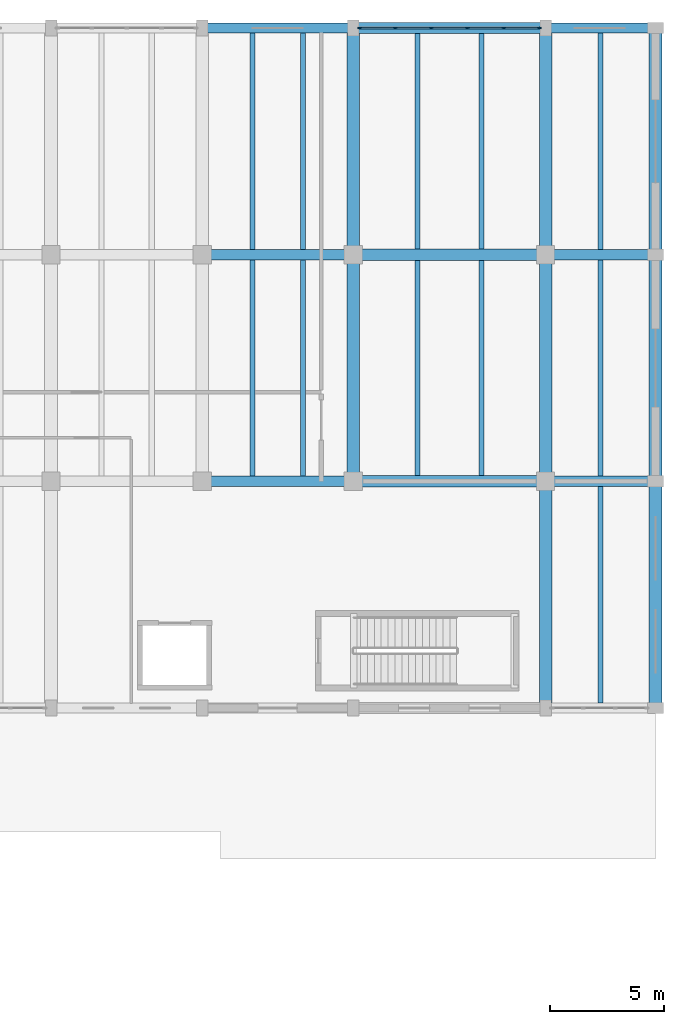
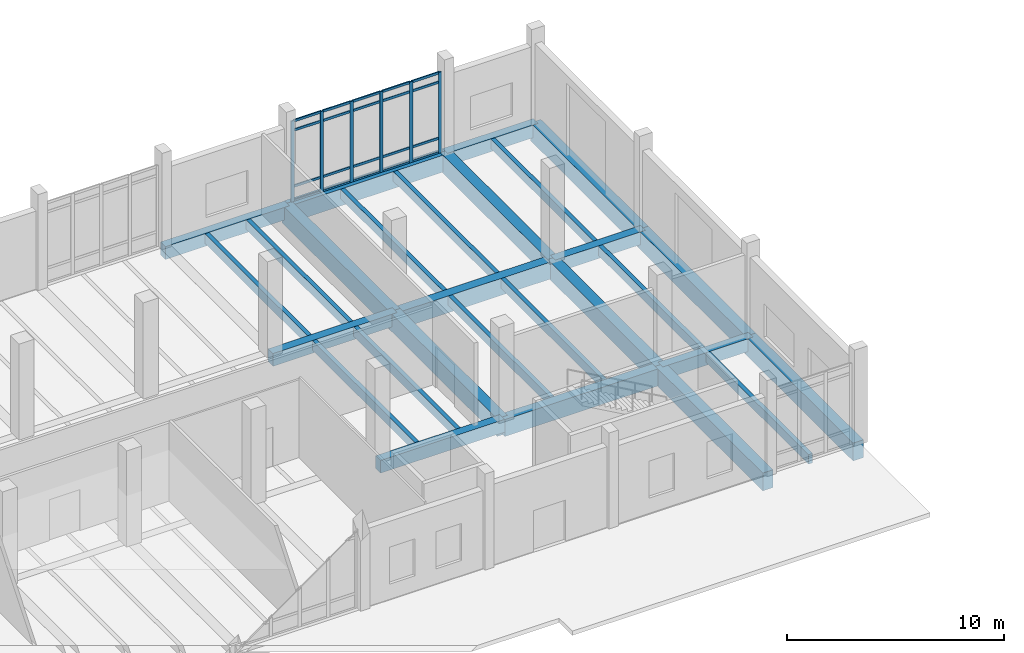
# One storey, part 31 of 72: 28 beams, 26 members, 1 element without a shape of its own.
"""IFC4 building model written with IfcOpenShell, lengths in metres."""

from ifc_helpers import new_model, si_unit, direction, frame, origin, origin_2d, place, context, subcontext, project, spatial, rectangle, extrude, material, material_profile, profile_set, type_object, element, aggregate, save


model = new_model("IFC4")

# Units and contexts
model_context = context("Model", 3, precision=1e-05, world=origin(), true_north=direction((0.0, 1.0)))
body_context = subcontext(model_context, "Body", "Model", "MODEL_VIEW")
ifc_project = project(units=[si_unit("LENGTHUNIT", "METRE"), si_unit("AREAUNIT", "SQUARE_METRE"), si_unit("VOLUMEUNIT", "CUBIC_METRE"), si_unit("PLANEANGLEUNIT", "RADIAN"), si_unit("MASSUNIT", "GRAM", prefix="KILO")], contexts=[model_context])

# Site, building, storey
site_placement = place(None, origin())
site = spatial("IfcSite", under=ifc_project, at=site_placement, CompositionType="ELEMENT")
building_placement = place(site_placement, origin())
building = spatial("IfcBuilding", under=site, at=building_placement, Name="Dornvale Research Institute", CompositionType="ELEMENT")
storey_placement = place(building_placement, origin())
storey = spatial("IfcBuildingStorey", under=building, at=storey_placement, Name="L00", CompositionType="ELEMENT", Elevation=0.0)

# Beams
ifc_material_1 = material(Name="Concrete f'c 45 MPa (C35/45)", Category="concrete")
ifc_material_profile_1 = material_profile(ifc_material_1, rectangle(XDim=0.449951171875, YDim=0.715087890625, at=origin_2d()), Name="RC 450x715")
ifc_profile_set_1 = profile_set([ifc_material_profile_1], Name="Concrete f'c 45 MPa (C35/45)")
beam_type_1 = type_object("IfcBeamType", Name="Beam_RC450x715_Lab", PredefinedType="BEAM", material=ifc_profile_set_1)
beam_1_placement = place(storey_placement, frame((158.39990234375, 102.300048828125, -0.357421875), z_axis=(1.0, 0.0, 0.0), x_axis=(0.0, 1.0, 0.0)))
element("IfcBeam", 1, at=beam_1_placement, inside=storey, type_object=beam_type_1, Name="L00 primary girder #83", PredefinedType="BEAM", context=body_context, shape_type="SweptSolid", body=[
    extrude(rectangle(XDim=0.449951171875, YDim=0.715087890625, at=origin_2d()), origin(), (0.0, 0.0, 1.0), 6.60009765625),
])
beam_2_placement = place(storey_placement, frame((173.39990234375, 102.300048828125, -0.357421875), z_axis=(1.0, 0.0, 0.0), x_axis=(0.0, 1.0, 0.0)))
element("IfcBeam", 2, at=beam_2_placement, inside=storey, type_object=beam_type_1, Name="L00 primary girder #85", PredefinedType="BEAM", context=body_context, shape_type="SweptSolid", body=[
    extrude(rectangle(XDim=0.449951171875, YDim=0.715087890625, at=origin_2d()), origin(), (0.0, 0.0, 1.0), 4.800048828125),
])
beam_3_placement = place(storey_placement, frame((158.39990234375, 112.199951171875, -0.357421875), z_axis=(1.0, 0.0, 0.0), x_axis=(0.0, 1.0, 0.0)))
element("IfcBeam", 3, at=beam_3_placement, inside=storey, type_object=beam_type_1, Name="L00 primary girder #92", PredefinedType="BEAM", context=body_context, shape_type="SweptSolid", body=[
    extrude(rectangle(XDim=0.449951171875, YDim=0.715087890625, at=origin_2d()), origin(), (0.0, 0.0, 1.0), 6.60009765625),
])
beam_4_placement = place(storey_placement, frame((173.39990234375, 112.199951171875, -0.357421875), z_axis=(1.0, 0.0, 0.0), x_axis=(0.0, 1.0, 0.0)))
element("IfcBeam", 4, at=beam_4_placement, inside=storey, type_object=beam_type_1, Name="L00 primary girder #94", PredefinedType="BEAM", context=body_context, shape_type="SweptSolid", body=[
    extrude(rectangle(XDim=0.449951171875, YDim=0.715087890625, at=origin_2d()), origin(), (0.0, 0.0, 1.0), 4.800048828125),
])
beam_5_placement = place(storey_placement, frame((158.39990234375, 122.10009765625, -0.357421875), z_axis=(1.0, 0.0, 0.0), x_axis=(0.0, 1.0, 0.0)))
element("IfcBeam", 5, at=beam_5_placement, inside=storey, type_object=beam_type_1, Name="L00 primary girder #101", PredefinedType="BEAM", context=body_context, shape_type="SweptSolid", body=[
    extrude(rectangle(XDim=0.449951171875, YDim=0.715087890625, at=origin_2d()), origin(), (0.0, 0.0, 1.0), 6.60009765625),
])
beam_6_placement = place(storey_placement, frame((173.39990234375, 122.10009765625, -0.357421875), z_axis=(1.0, 0.0, 0.0), x_axis=(0.0, 1.0, 0.0)))
element("IfcBeam", 6, at=beam_6_placement, inside=storey, type_object=beam_type_1, Name="L00 primary girder #103", PredefinedType="BEAM", context=body_context, shape_type="SweptSolid", body=[
    extrude(rectangle(XDim=0.449951171875, YDim=0.715087890625, at=origin_2d()), origin(), (0.0, 0.0, 1.0), 4.800048828125),
])
ifc_material_2 = material(Name="Concrete f'c 45 MPa (C35/45)", Category="concrete")
ifc_material_profile_2 = material_profile(ifc_material_2, rectangle(XDim=0.5, YDim=0.949951171875, at=origin_2d()), Name="RC 500x950")
ifc_profile_set_2 = profile_set([ifc_material_profile_2], Name="Concrete f'c 45 MPa (C35/45)")
beam_type_2 = type_object("IfcBeamType", Name="Beam_RC500x950_Girder", PredefinedType="BEAM", material=ifc_profile_set_2)
for number, where, z_axis, x_axis, name in (
    (7, (165.0, 102.300048828125, -0.47509765625), (1.0, 0.0, 0.0), (0.0, 1.0, 0.0), "L00 primary girder #84"),
    (8, (165.0, 112.199951171875, -0.47509765625), (1.0, 0.0, 0.0), (0.0, 1.0, 0.0), "L00 primary girder #93"),
    (9, (165.0, 122.10009765625, -0.47509765625), (1.0, 0.0, 0.0), (0.0, 1.0, 0.0), "L00 primary girder #102"),
):
    element("IfcBeam", number, at=place(storey_placement, frame(where, z_axis=z_axis, x_axis=x_axis)), inside=storey, type_object=beam_type_2, Name=name, PredefinedType="BEAM", context=body_context, shape_type="SweptSolid", body=[
        extrude(rectangle(XDim=0.5, YDim=0.949951171875, at=origin_2d()), origin(), (0.0, 0.0, 1.0), 8.39990234375),
    ])
ifc_material_3 = material(Name="Concrete f'c 45 MPa (C35/45)", Category="concrete")
ifc_material_profile_3 = material_profile(ifc_material_3, rectangle(XDim=0.550048828125, YDim=1.0, at=origin_2d()), Name="RC 550x1000")
ifc_profile_set_3 = profile_set([ifc_material_profile_3], Name="Concrete f'c 45 MPa (C35/45)")
beam_type_3 = type_object("IfcBeamType", Name="Beam_RC550x1000_Girder", PredefinedType="BEAM", material=ifc_profile_set_3)
beam_7_placement = place(storey_placement, frame((165.0, 102.300048828125, -0.5), z_axis=(0.0, 1.0, 0.0), x_axis=(-1.0, 0.0, 0.0)))
element("IfcBeam", 10, at=beam_7_placement, inside=storey, type_object=beam_type_3, Name="L00 transverse girder #123", PredefinedType="BEAM", context=body_context, shape_type="SweptSolid", body=[
    extrude(rectangle(XDim=0.550048828125, YDim=1.0, at=origin_2d()), origin(), (0.0, 0.0, 1.0), 9.89990234375),
])
for number, where, z_axis, x_axis, name in (
    (11, (165.0, 112.199951171875, -0.5), (0.0, 1.0, 0.0), (-1.0, 0.0, 0.0), "L00 transverse girder #124"),
    (12, (173.39990234375, 92.39990234375, -0.5), (0.0, 1.0, 0.0), (-1.0, 0.0, 0.0), "L00 transverse girder #125"),
):
    element("IfcBeam", number, at=place(storey_placement, frame(where, z_axis=z_axis, x_axis=x_axis)), inside=storey, type_object=beam_type_3, Name=name, PredefinedType="BEAM", context=body_context, shape_type="SweptSolid", body=[
        extrude(rectangle(XDim=0.550048828125, YDim=1.0, at=origin_2d()), origin(), (0.0, 0.0, 1.0), 9.900146484375),
    ])
beam_8_placement = place(storey_placement, frame((173.39990234375, 102.300048828125, -0.5), z_axis=(0.0, 1.0, 0.0), x_axis=(-1.0, 0.0, 0.0)))
element("IfcBeam", 13, at=beam_8_placement, inside=storey, type_object=beam_type_3, Name="L00 transverse girder #126", PredefinedType="BEAM", context=body_context, shape_type="SweptSolid", body=[
    extrude(rectangle(XDim=0.550048828125, YDim=1.0, at=origin_2d()), origin(), (0.0, 0.0, 1.0), 9.89990234375),
])
for number, where, z_axis, x_axis, name in (
    (14, (173.39990234375, 112.199951171875, -0.5), (0.0, 1.0, 0.0), (-1.0, 0.0, 0.0), "L00 transverse girder #127"),
    (15, (178.199951171875, 92.39990234375, -0.5), (0.0, 1.0, 0.0), (-1.0, 0.0, 0.0), "L00 transverse girder #128"),
):
    element("IfcBeam", number, at=place(storey_placement, frame(where, z_axis=z_axis, x_axis=x_axis)), inside=storey, type_object=beam_type_3, Name=name, PredefinedType="BEAM", context=body_context, shape_type="SweptSolid", body=[
        extrude(rectangle(XDim=0.550048828125, YDim=1.0, at=origin_2d()), origin(), (0.0, 0.0, 1.0), 9.900146484375),
    ])
beam_9_placement = place(storey_placement, frame((178.199951171875, 102.300048828125, -0.5), z_axis=(0.0, 1.0, 0.0), x_axis=(-1.0, 0.0, 0.0)))
element("IfcBeam", 16, at=beam_9_placement, inside=storey, type_object=beam_type_3, Name="L00 transverse girder #129", PredefinedType="BEAM", context=body_context, shape_type="SweptSolid", body=[
    extrude(rectangle(XDim=0.550048828125, YDim=1.0, at=origin_2d()), origin(), (0.0, 0.0, 1.0), 9.89990234375),
])
beam_10_placement = place(storey_placement, frame((178.199951171875, 112.199951171875, -0.5), z_axis=(0.0, 1.0, 0.0), x_axis=(-1.0, 0.0, 0.0)))
element("IfcBeam", 17, at=beam_10_placement, inside=storey, type_object=beam_type_3, Name="L00 transverse girder #130", PredefinedType="BEAM", context=body_context, shape_type="SweptSolid", body=[
    extrude(rectangle(XDim=0.550048828125, YDim=1.0, at=origin_2d()), origin(), (0.0, 0.0, 1.0), 9.900146484375),
])
ifc_material_4 = material(Name="Concrete f'c 45 MPa (C35/45)", Category="concrete")
ifc_material_profile_4 = material_profile(ifc_material_4, rectangle(XDim=0.219970703125, YDim=0.534912109375, at=origin_2d()), Name="RC 220x535")
ifc_profile_set_4 = profile_set([ifc_material_profile_4], Name="Concrete f'c 45 MPa (C35/45)")
beam_type_4 = type_object("IfcBeamType", Name="Joist_RC220x535_Waffle", PredefinedType="JOIST", material=ifc_profile_set_4)
for number, where, z_axis, x_axis, name in (
    (18, (160.60009765625, 102.52490234375, -0.267578125), (0.0, 1.0, 0.0), (-1.0, 0.0, 0.0), "L00 laboratory waffle joist #66"),
    (19, (162.800048828125, 102.52490234375, -0.267578125), (0.0, 1.0, 0.0), (-1.0, 0.0, 0.0), "L00 laboratory waffle joist #67"),
):
    element("IfcBeam", number, at=place(storey_placement, frame(where, z_axis=z_axis, x_axis=x_axis)), inside=storey, type_object=beam_type_4, Name=name, PredefinedType="JOIST", context=body_context, shape_type="SweptSolid", body=[
        extrude(rectangle(XDim=0.219970703125, YDim=0.534912109375, at=origin_2d()), origin(), (0.0, 0.0, 1.0), 9.4501953125),
    ])
for number, where, z_axis, x_axis, name in (
    (20, (160.60009765625, 112.425048828125, -0.267578125), (0.0, 1.0, 0.0), (-1.0, 0.0, 0.0), "L00 laboratory waffle joist #68"),
    (21, (162.800048828125, 112.425048828125, -0.267578125), (0.0, 1.0, 0.0), (-1.0, 0.0, 0.0), "L00 laboratory waffle joist #69"),
):
    element("IfcBeam", number, at=place(storey_placement, frame(where, z_axis=z_axis, x_axis=x_axis)), inside=storey, type_object=beam_type_4, Name=name, PredefinedType="JOIST", context=body_context, shape_type="SweptSolid", body=[
        extrude(rectangle(XDim=0.219970703125, YDim=0.534912109375, at=origin_2d()), origin(), (0.0, 0.0, 1.0), 9.449951171875),
    ])
for number, where, z_axis, x_axis, name in (
    (22, (167.800048828125, 102.550048828125, -0.267578125), (0.0, 1.0, 0.0), (-1.0, 0.0, 0.0), "L00 laboratory waffle joist #70"),
    (23, (170.60009765625, 102.550048828125, -0.267578125), (0.0, 1.0, 0.0), (-1.0, 0.0, 0.0), "L00 laboratory waffle joist #71"),
):
    element("IfcBeam", number, at=place(storey_placement, frame(where, z_axis=z_axis, x_axis=x_axis)), inside=storey, type_object=beam_type_4, Name=name, PredefinedType="JOIST", context=body_context, shape_type="SweptSolid", body=[
        extrude(rectangle(XDim=0.219970703125, YDim=0.534912109375, at=origin_2d()), origin(), (0.0, 0.0, 1.0), 9.39990234375),
    ])
for number, where, z_axis, x_axis, name in (
    (24, (167.800048828125, 112.449951171875, -0.267578125), (0.0, 1.0, 0.0), (-1.0, 0.0, 0.0), "L00 laboratory waffle joist #72"),
    (25, (170.60009765625, 112.449951171875, -0.267578125), (0.0, 1.0, 0.0), (-1.0, 0.0, 0.0), "L00 laboratory waffle joist #73"),
):
    element("IfcBeam", number, at=place(storey_placement, frame(where, z_axis=z_axis, x_axis=x_axis)), inside=storey, type_object=beam_type_4, Name=name, PredefinedType="JOIST", context=body_context, shape_type="SweptSolid", body=[
        extrude(rectangle(XDim=0.219970703125, YDim=0.534912109375, at=origin_2d()), origin(), (0.0, 0.0, 1.0), 9.400146484375),
    ])
beam_11_placement = place(storey_placement, frame((175.800048828125, 92.625, -0.267578125), z_axis=(0.0, 1.0, 0.0), x_axis=(-1.0, 0.0, 0.0)))
element("IfcBeam", 26, at=beam_11_placement, inside=storey, type_object=beam_type_4, Name="L00 laboratory waffle joist #74", PredefinedType="JOIST", context=body_context, shape_type="SweptSolid", body=[
    extrude(rectangle(XDim=0.219970703125, YDim=0.534912109375, at=origin_2d()), origin(), (0.0, 0.0, 1.0), 9.449951171875),
])
beam_12_placement = place(storey_placement, frame((175.800048828125, 102.52490234375, -0.267578125), z_axis=(0.0, 1.0, 0.0), x_axis=(-1.0, 0.0, 0.0)))
element("IfcBeam", 27, at=beam_12_placement, inside=storey, type_object=beam_type_4, Name="L00 laboratory waffle joist #75", PredefinedType="JOIST", context=body_context, shape_type="SweptSolid", body=[
    extrude(rectangle(XDim=0.219970703125, YDim=0.534912109375, at=origin_2d()), origin(), (0.0, 0.0, 1.0), 9.4501953125),
])
beam_13_placement = place(storey_placement, frame((175.800048828125, 112.425048828125, -0.267578125), z_axis=(0.0, 1.0, 0.0), x_axis=(-1.0, 0.0, 0.0)))
element("IfcBeam", 28, at=beam_13_placement, inside=storey, type_object=beam_type_4, Name="L00 laboratory waffle joist #76", PredefinedType="JOIST", context=body_context, shape_type="SweptSolid", body=[
    extrude(rectangle(XDim=0.219970703125, YDim=0.534912109375, at=origin_2d()), origin(), (0.0, 0.0, 1.0), 9.449951171875),
])

# Curtain wall, members
ifc_material_5 = material(Name="Low-E Argon Double Insulating Glazing Unit", Category="glass")
curtain_wall_type = type_object("IfcCurtainWallType", Name="UnitisedCurtainWall_V4_7900x4550", PredefinedType="USERDEFINED", material=ifc_material_5)
curtain_wall_placement = place(storey_placement, origin())
curtain_wall = element("IfcCurtainWall", 29, at=curtain_wall_placement, inside=storey, type_object=curtain_wall_type, Name="L00 V4 unitised curtain wall CW-09 #69", ObjectType="UNITISED CURTAIN WALL", PredefinedType="USERDEFINED")
ifc_material_6 = material(Name="Anodized Aluminum AA 6063-T6 Thermally Broken Frame", Category="aluminium")
ifc_material_profile_5 = material_profile(ifc_material_6, rectangle(XDim=0.06494140625, YDim=0.179931640625, at=origin_2d()), Name="ALU MULLION 65x180")
ifc_profile_set_5 = profile_set([ifc_material_profile_5], Name="Anodized Aluminum AA 6063-T6 Thermally Broken Frame")
member_type_1 = type_object("IfcMemberType", Name="Mullion_CW_65x180", PredefinedType="MULLION", material=ifc_profile_set_5)
member_1_placement = place(storey_placement, frame((165.282470703125, 122.10009765625, 0.0), z_axis=(0.0, 0.0, 1.0), x_axis=(0.0, 1.0, 0.0)))
member_1 = element("IfcMember", 30, at=member_1_placement, type_object=member_type_1, Name="CW-09 mullion 1", PredefinedType="MULLION", context=body_context, shape_type="SweptSolid", body=[
    extrude(rectangle(XDim=0.06494140625, YDim=0.179931640625, at=origin_2d()), origin(), (0.0, 0.0, 1.0), 4.550048828125),
])
member_2_placement = place(storey_placement, frame((166.830078125, 122.10009765625, 0.0), z_axis=(0.0, 0.0, 1.0), x_axis=(0.0, 1.0, 0.0)))
member_2 = element("IfcMember", 31, at=member_2_placement, type_object=member_type_1, Name="CW-09 mullion 2", PredefinedType="MULLION", context=body_context, shape_type="SweptSolid", body=[
    extrude(rectangle(XDim=0.06494140625, YDim=0.179931640625, at=origin_2d()), origin(), (0.0, 0.0, 1.0), 4.550048828125),
])
member_3_placement = place(storey_placement, frame((168.409912109375, 122.10009765625, 0.0), z_axis=(0.0, 0.0, 1.0), x_axis=(0.0, 1.0, 0.0)))
member_3 = element("IfcMember", 32, at=member_3_placement, type_object=member_type_1, Name="CW-09 mullion 3", PredefinedType="MULLION", context=body_context, shape_type="SweptSolid", body=[
    extrude(rectangle(XDim=0.06494140625, YDim=0.179931640625, at=origin_2d()), origin(), (0.0, 0.0, 1.0), 4.550048828125),
])
member_4_placement = place(storey_placement, frame((169.989990234375, 122.10009765625, 0.0), z_axis=(0.0, 0.0, 1.0), x_axis=(0.0, 1.0, 0.0)))
member_4 = element("IfcMember", 33, at=member_4_placement, type_object=member_type_1, Name="CW-09 mullion 4", PredefinedType="MULLION", context=body_context, shape_type="SweptSolid", body=[
    extrude(rectangle(XDim=0.06494140625, YDim=0.179931640625, at=origin_2d()), origin(), (0.0, 0.0, 1.0), 4.550048828125),
])
member_5_placement = place(storey_placement, frame((171.570068359375, 122.10009765625, 0.0), z_axis=(0.0, 0.0, 1.0), x_axis=(0.0, 1.0, 0.0)))
member_5 = element("IfcMember", 34, at=member_5_placement, type_object=member_type_1, Name="CW-09 mullion 5", PredefinedType="MULLION", context=body_context, shape_type="SweptSolid", body=[
    extrude(rectangle(XDim=0.06494140625, YDim=0.179931640625, at=origin_2d()), origin(), (0.0, 0.0, 1.0), 4.550048828125),
])
member_6_placement = place(storey_placement, frame((173.117431640625, 122.10009765625, 0.0), z_axis=(0.0, 0.0, 1.0), x_axis=(0.0, 1.0, 0.0)))
member_6 = element("IfcMember", 35, at=member_6_placement, type_object=member_type_1, Name="CW-09 mullion 6", PredefinedType="MULLION", context=body_context, shape_type="SweptSolid", body=[
    extrude(rectangle(XDim=0.06494140625, YDim=0.179931640625, at=origin_2d()), origin(), (0.0, 0.0, 1.0), 4.550048828125),
])
ifc_material_7 = material(Name="Anodized Aluminum AA 6063-T6 Thermally Broken Frame", Category="aluminium")
ifc_material_profile_6 = material_profile(ifc_material_7, rectangle(XDim=0.06494140625, YDim=0.135009765625, at=origin_2d()), Name="ALU TRANSOM 65x135")
ifc_profile_set_6 = profile_set([ifc_material_profile_6], Name="Anodized Aluminum AA 6063-T6 Thermally Broken Frame")
member_type_2 = type_object("IfcMemberType", Name="Transom_CW_65x135", PredefinedType="USERDEFINED", material=ifc_profile_set_6)
member_7_placement = place(storey_placement, frame((165.31494140625, 122.10009765625, 0.032470703125), z_axis=(1.0, 0.0, 0.0), x_axis=(0.0, 1.0, 0.0)))
member_7 = element("IfcMember", 36, at=member_7_placement, type_object=member_type_2, Name="CW-09 transom 1.1", ObjectType="TRANSOM", PredefinedType="USERDEFINED", context=body_context, shape_type="SweptSolid", body=[
    extrude(rectangle(XDim=0.06494140625, YDim=0.135009765625, at=origin_2d()), origin(), (0.0, 0.0, 1.0), 1.482666015625),
])
member_8_placement = place(storey_placement, frame((165.31494140625, 122.10009765625, 0.85009765625), z_axis=(1.0, 0.0, 0.0), x_axis=(0.0, 1.0, 0.0)))
member_8 = element("IfcMember", 37, at=member_8_placement, type_object=member_type_2, Name="CW-09 transom 1.2", ObjectType="TRANSOM", PredefinedType="USERDEFINED", context=body_context, shape_type="SweptSolid", body=[
    extrude(rectangle(XDim=0.06494140625, YDim=0.135009765625, at=origin_2d()), origin(), (0.0, 0.0, 1.0), 1.482666015625),
])
member_9_placement = place(storey_placement, frame((165.31494140625, 122.10009765625, 4.0), z_axis=(1.0, 0.0, 0.0), x_axis=(0.0, 1.0, 0.0)))
member_9 = element("IfcMember", 38, at=member_9_placement, type_object=member_type_2, Name="CW-09 transom 1.3", ObjectType="TRANSOM", PredefinedType="USERDEFINED", context=body_context, shape_type="SweptSolid", body=[
    extrude(rectangle(XDim=0.06494140625, YDim=0.135009765625, at=origin_2d()), origin(), (0.0, 0.0, 1.0), 1.482666015625),
])
member_10_placement = place(storey_placement, frame((165.31494140625, 122.10009765625, 4.517578125), z_axis=(1.0, 0.0, 0.0), x_axis=(0.0, 1.0, 0.0)))
member_10 = element("IfcMember", 39, at=member_10_placement, type_object=member_type_2, Name="CW-09 transom 1.4", ObjectType="TRANSOM", PredefinedType="USERDEFINED", context=body_context, shape_type="SweptSolid", body=[
    extrude(rectangle(XDim=0.06494140625, YDim=0.135009765625, at=origin_2d()), origin(), (0.0, 0.0, 1.0), 1.482666015625),
])
member_11_placement = place(storey_placement, frame((166.862548828125, 122.10009765625, 0.032470703125), z_axis=(1.0, 0.0, 0.0), x_axis=(0.0, 1.0, 0.0)))
member_11 = element("IfcMember", 40, at=member_11_placement, type_object=member_type_2, Name="CW-09 transom 2.1", ObjectType="TRANSOM", PredefinedType="USERDEFINED", context=body_context, shape_type="SweptSolid", body=[
    extrude(rectangle(XDim=0.06494140625, YDim=0.135009765625, at=origin_2d()), origin(), (0.0, 0.0, 1.0), 1.514892578125),
])
member_12_placement = place(storey_placement, frame((166.862548828125, 122.10009765625, 0.85009765625), z_axis=(1.0, 0.0, 0.0), x_axis=(0.0, 1.0, 0.0)))
member_12 = element("IfcMember", 41, at=member_12_placement, type_object=member_type_2, Name="CW-09 transom 2.2", ObjectType="TRANSOM", PredefinedType="USERDEFINED", context=body_context, shape_type="SweptSolid", body=[
    extrude(rectangle(XDim=0.06494140625, YDim=0.135009765625, at=origin_2d()), origin(), (0.0, 0.0, 1.0), 1.514892578125),
])
member_13_placement = place(storey_placement, frame((166.862548828125, 122.10009765625, 4.0), z_axis=(1.0, 0.0, 0.0), x_axis=(0.0, 1.0, 0.0)))
member_13 = element("IfcMember", 42, at=member_13_placement, type_object=member_type_2, Name="CW-09 transom 2.3", ObjectType="TRANSOM", PredefinedType="USERDEFINED", context=body_context, shape_type="SweptSolid", body=[
    extrude(rectangle(XDim=0.06494140625, YDim=0.135009765625, at=origin_2d()), origin(), (0.0, 0.0, 1.0), 1.514892578125),
])
member_14_placement = place(storey_placement, frame((166.862548828125, 122.10009765625, 4.517578125), z_axis=(1.0, 0.0, 0.0), x_axis=(0.0, 1.0, 0.0)))
member_14 = element("IfcMember", 43, at=member_14_placement, type_object=member_type_2, Name="CW-09 transom 2.4", ObjectType="TRANSOM", PredefinedType="USERDEFINED", context=body_context, shape_type="SweptSolid", body=[
    extrude(rectangle(XDim=0.06494140625, YDim=0.135009765625, at=origin_2d()), origin(), (0.0, 0.0, 1.0), 1.514892578125),
])
member_15_placement = place(storey_placement, frame((168.4423828125, 122.10009765625, 0.032470703125), z_axis=(1.0, 0.0, 0.0), x_axis=(0.0, 1.0, 0.0)))
member_15 = element("IfcMember", 44, at=member_15_placement, type_object=member_type_2, Name="CW-09 transom 3.1", ObjectType="TRANSOM", PredefinedType="USERDEFINED", context=body_context, shape_type="SweptSolid", body=[
    extrude(rectangle(XDim=0.06494140625, YDim=0.135009765625, at=origin_2d()), origin(), (0.0, 0.0, 1.0), 1.51513671875),
])
member_16_placement = place(storey_placement, frame((168.4423828125, 122.10009765625, 0.85009765625), z_axis=(1.0, 0.0, 0.0), x_axis=(0.0, 1.0, 0.0)))
member_16 = element("IfcMember", 45, at=member_16_placement, type_object=member_type_2, Name="CW-09 transom 3.2", ObjectType="TRANSOM", PredefinedType="USERDEFINED", context=body_context, shape_type="SweptSolid", body=[
    extrude(rectangle(XDim=0.06494140625, YDim=0.135009765625, at=origin_2d()), origin(), (0.0, 0.0, 1.0), 1.51513671875),
])
member_17_placement = place(storey_placement, frame((168.4423828125, 122.10009765625, 4.0), z_axis=(1.0, 0.0, 0.0), x_axis=(0.0, 1.0, 0.0)))
member_17 = element("IfcMember", 46, at=member_17_placement, type_object=member_type_2, Name="CW-09 transom 3.3", ObjectType="TRANSOM", PredefinedType="USERDEFINED", context=body_context, shape_type="SweptSolid", body=[
    extrude(rectangle(XDim=0.06494140625, YDim=0.135009765625, at=origin_2d()), origin(), (0.0, 0.0, 1.0), 1.51513671875),
])
member_18_placement = place(storey_placement, frame((168.4423828125, 122.10009765625, 4.517578125), z_axis=(1.0, 0.0, 0.0), x_axis=(0.0, 1.0, 0.0)))
member_18 = element("IfcMember", 47, at=member_18_placement, type_object=member_type_2, Name="CW-09 transom 3.4", ObjectType="TRANSOM", PredefinedType="USERDEFINED", context=body_context, shape_type="SweptSolid", body=[
    extrude(rectangle(XDim=0.06494140625, YDim=0.135009765625, at=origin_2d()), origin(), (0.0, 0.0, 1.0), 1.51513671875),
])
member_19_placement = place(storey_placement, frame((170.0224609375, 122.10009765625, 0.032470703125), z_axis=(1.0, 0.0, 0.0), x_axis=(0.0, 1.0, 0.0)))
member_19 = element("IfcMember", 48, at=member_19_placement, type_object=member_type_2, Name="CW-09 transom 4.1", ObjectType="TRANSOM", PredefinedType="USERDEFINED", context=body_context, shape_type="SweptSolid", body=[
    extrude(rectangle(XDim=0.06494140625, YDim=0.135009765625, at=origin_2d()), origin(), (0.0, 0.0, 1.0), 1.51513671875),
])
member_20_placement = place(storey_placement, frame((170.0224609375, 122.10009765625, 0.85009765625), z_axis=(1.0, 0.0, 0.0), x_axis=(0.0, 1.0, 0.0)))
member_20 = element("IfcMember", 49, at=member_20_placement, type_object=member_type_2, Name="CW-09 transom 4.2", ObjectType="TRANSOM", PredefinedType="USERDEFINED", context=body_context, shape_type="SweptSolid", body=[
    extrude(rectangle(XDim=0.06494140625, YDim=0.135009765625, at=origin_2d()), origin(), (0.0, 0.0, 1.0), 1.51513671875),
])
member_21_placement = place(storey_placement, frame((170.0224609375, 122.10009765625, 4.0), z_axis=(1.0, 0.0, 0.0), x_axis=(0.0, 1.0, 0.0)))
member_21 = element("IfcMember", 50, at=member_21_placement, type_object=member_type_2, Name="CW-09 transom 4.3", ObjectType="TRANSOM", PredefinedType="USERDEFINED", context=body_context, shape_type="SweptSolid", body=[
    extrude(rectangle(XDim=0.06494140625, YDim=0.135009765625, at=origin_2d()), origin(), (0.0, 0.0, 1.0), 1.51513671875),
])
member_22_placement = place(storey_placement, frame((170.0224609375, 122.10009765625, 4.517578125), z_axis=(1.0, 0.0, 0.0), x_axis=(0.0, 1.0, 0.0)))
member_22 = element("IfcMember", 51, at=member_22_placement, type_object=member_type_2, Name="CW-09 transom 4.4", ObjectType="TRANSOM", PredefinedType="USERDEFINED", context=body_context, shape_type="SweptSolid", body=[
    extrude(rectangle(XDim=0.06494140625, YDim=0.135009765625, at=origin_2d()), origin(), (0.0, 0.0, 1.0), 1.51513671875),
])
member_23_placement = place(storey_placement, frame((171.6025390625, 122.10009765625, 0.032470703125), z_axis=(1.0, 0.0, 0.0), x_axis=(0.0, 1.0, 0.0)))
member_23 = element("IfcMember", 52, at=member_23_placement, type_object=member_type_2, Name="CW-09 transom 5.1", ObjectType="TRANSOM", PredefinedType="USERDEFINED", context=body_context, shape_type="SweptSolid", body=[
    extrude(rectangle(XDim=0.06494140625, YDim=0.135009765625, at=origin_2d()), origin(), (0.0, 0.0, 1.0), 1.482421875),
])
member_24_placement = place(storey_placement, frame((171.6025390625, 122.10009765625, 0.85009765625), z_axis=(1.0, 0.0, 0.0), x_axis=(0.0, 1.0, 0.0)))
member_24 = element("IfcMember", 53, at=member_24_placement, type_object=member_type_2, Name="CW-09 transom 5.2", ObjectType="TRANSOM", PredefinedType="USERDEFINED", context=body_context, shape_type="SweptSolid", body=[
    extrude(rectangle(XDim=0.06494140625, YDim=0.135009765625, at=origin_2d()), origin(), (0.0, 0.0, 1.0), 1.482421875),
])
member_25_placement = place(storey_placement, frame((171.6025390625, 122.10009765625, 4.0), z_axis=(1.0, 0.0, 0.0), x_axis=(0.0, 1.0, 0.0)))
member_25 = element("IfcMember", 54, at=member_25_placement, type_object=member_type_2, Name="CW-09 transom 5.3", ObjectType="TRANSOM", PredefinedType="USERDEFINED", context=body_context, shape_type="SweptSolid", body=[
    extrude(rectangle(XDim=0.06494140625, YDim=0.135009765625, at=origin_2d()), origin(), (0.0, 0.0, 1.0), 1.482421875),
])
member_26_placement = place(storey_placement, frame((171.6025390625, 122.10009765625, 4.517578125), z_axis=(1.0, 0.0, 0.0), x_axis=(0.0, 1.0, 0.0)))
member_26 = element("IfcMember", 55, at=member_26_placement, type_object=member_type_2, Name="CW-09 transom 5.4", ObjectType="TRANSOM", PredefinedType="USERDEFINED", context=body_context, shape_type="SweptSolid", body=[
    extrude(rectangle(XDim=0.06494140625, YDim=0.135009765625, at=origin_2d()), origin(), (0.0, 0.0, 1.0), 1.482421875),
])
aggregate(curtain_wall, [member_1, member_2, member_3, member_4, member_5, member_6, member_7, member_8, member_9, member_10, member_11, member_12, member_13, member_14, member_15, member_16, member_17, member_18, member_19, member_20, member_21, member_22, member_23, member_24, member_25, member_26])

save(model, "model.ifc")
